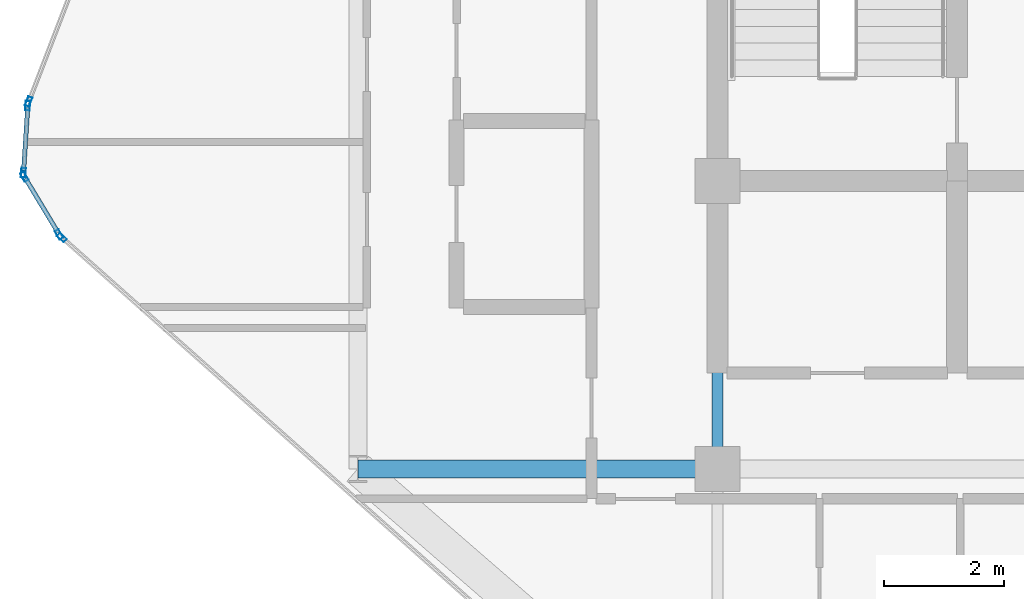
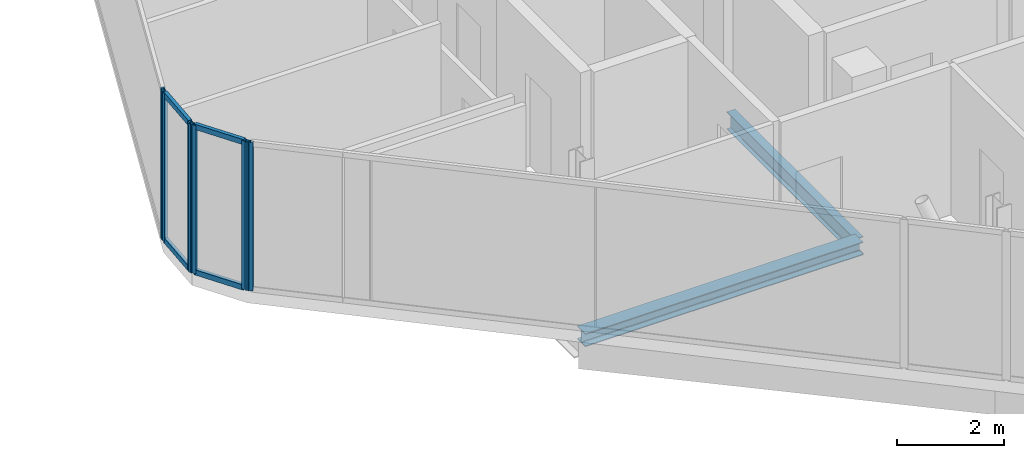
# One storey, part 8 of 29: 10 members, 2 beams, 4 elements without a shape of their own.
"""IFC4 building model written with IfcOpenShell, lengths in metres."""

from ifc_helpers import new_model, si_unit, direction, frame, origin, origin_2d, place, context, subcontext, project, spatial, hollow_rectangle, i_section, extrude, material, layer, layer_set, material_profile, profile_set, type_object, element, aggregate, save


model = new_model("IFC4")

# Units and contexts
model_context = context("Model", 3, precision=1e-05, world=origin(), true_north=direction((0.0, 1.0)))
body_context = subcontext(model_context, "Body", "Model", "MODEL_VIEW")
ifc_project = project(units=[si_unit("LENGTHUNIT", "METRE"), si_unit("AREAUNIT", "SQUARE_METRE"), si_unit("VOLUMEUNIT", "CUBIC_METRE"), si_unit("PLANEANGLEUNIT", "RADIAN"), si_unit("MASSUNIT", "GRAM", prefix="KILO")], contexts=[model_context])

# Site, building, storey
site_placement = place(None, origin())
site = spatial("IfcSite", under=ifc_project, at=site_placement, CompositionType="ELEMENT")
building_placement = place(site_placement, origin())
building = spatial("IfcBuilding", under=site, at=building_placement, Name="Keshet Zoharim Tower", CompositionType="ELEMENT")
storey_placement = place(building_placement, frame((0.0, 0.0, 222.800048828125)))
storey = spatial("IfcBuildingStorey", under=building, at=storey_placement, Name="L55", CompositionType="ELEMENT", Elevation=222.800048828125)

# Beams
ifc_material_1 = material(Name="Steel S355", Category="steel")
ifc_material_profile_1 = material_profile(ifc_material_1, i_section(OverallWidth=0.300048828125, OverallDepth=0.300048828125, WebThickness=0.010986328125, FlangeThickness=0.01904296875, FilletRadius=0.027099609375, at=origin_2d()), Name="HEB300")
ifc_profile_set_1 = profile_set([ifc_material_profile_1], Name="Steel S355")
beam_type_1 = type_object("IfcBeamType", Name="BM-PRI-HB300", PredefinedType="BEAM", material=ifc_profile_set_1)
beam_1_placement = place(storey_placement, frame((9.0, 17.89990234375, -0.4599609375), z_axis=(1.0, 0.0, 0.0), x_axis=(0.0, 1.0, 0.0)))
element("IfcBeam", 1, at=beam_1_placement, inside=storey, type_object=beam_type_1, Name="L55 Primary Girder X-011", PredefinedType="BEAM", context=body_context, shape_type="SweptSolid", body=[
    extrude(i_section(OverallWidth=0.300048828125, OverallDepth=0.300048828125, WebThickness=0.010986328125, FlangeThickness=0.01904296875, FilletRadius=0.027099609375, at=origin_2d()), origin(), (0.0, 0.0, 1.0), 6.0),
])
ifc_material_profile_2 = material_profile(ifc_material_1, i_section(OverallWidth=0.179931640625, OverallDepth=0.39990234375, WebThickness=0.008544921875, FlangeThickness=0.013427734375, FilletRadius=0.02099609375, at=origin_2d()), Name="IPE400")
ifc_profile_set_2 = profile_set([ifc_material_profile_2], Name="Steel S355")
beam_type_2 = type_object("IfcBeamType", Name="BM-PRI-IP400", PredefinedType="BEAM", material=ifc_profile_set_2)
beam_2_placement = place(storey_placement, frame((15.0, 17.89990234375, -0.510009765625), z_axis=(0.0, 1.0, 0.0), x_axis=(-1.0, 0.0, 0.0)))
element("IfcBeam", 2, at=beam_2_placement, inside=storey, type_object=beam_type_2, Name="L55 Primary Girder Y-003", PredefinedType="BEAM", context=body_context, shape_type="SweptSolid", body=[
    extrude(i_section(OverallWidth=0.179931640625, OverallDepth=0.39990234375, WebThickness=0.008544921875, FlangeThickness=0.013427734375, FilletRadius=0.02099609375, at=origin_2d()), origin(), (0.0, 0.0, 1.0), 4.800048828125),
])

# Curtain wall, member
ifc_material_2 = material(Name="Aluminium 6063-T6", Category="aluminium")
ifc_layer = layer(ifc_material_2, 0.139892578125)
ifc_layer_set = layer_set([ifc_layer], Name="Aluminium 6063-T6")
curtain_wall_type = type_object("IfcCurtainWallType", Name="CW-SYS-05", PredefinedType="NOTDEFINED", material=ifc_layer_set)
curtain_wall_1_placement = place(storey_placement, origin())
curtain_wall_1 = element("IfcCurtainWall", 3, at=curtain_wall_1_placement, inside=storey, type_object=curtain_wall_type, Name="L55 Unitised Curtain Wall 10 Part 3", PredefinedType="NOTDEFINED")
ifc_material_profile_3 = material_profile(ifc_material_2, hollow_rectangle(XDim=0.074951171875, YDim=0.159912109375, WallThickness=0.00390625, at=origin_2d()), Name="MUL-75x160")
ifc_profile_set_3 = profile_set([ifc_material_profile_3], Name="Aluminium 6063-T6")
member_type_1 = type_object("IfcMemberType", Name="CWM-M15", PredefinedType="MULLION", material=ifc_profile_set_3)
member_1_placement = place(storey_placement, frame((4.061279296875, 21.7568359375, 0.0), z_axis=(0.0, 0.0, 1.0), x_axis=(-0.664363838836, -0.747409318679, 0.0)))
member_1 = element("IfcMember", 4, at=member_1_placement, type_object=member_type_1, Name="CW-05 mullion 2", PredefinedType="MULLION", context=body_context, shape_type="SweptSolid", body=[
    extrude(hollow_rectangle(XDim=0.074951171875, YDim=0.159912109375, WallThickness=0.00390625, at=origin_2d()), origin(), (0.0, 0.0, 1.0), 3.389892578125),
])
aggregate(curtain_wall_1, [member_1])

# Curtain wall, members
curtain_wall_2_placement = place(storey_placement, origin())
curtain_wall_2 = element("IfcCurtainWall", 5, at=curtain_wall_2_placement, inside=storey, type_object=curtain_wall_type, Name="L55 Unitised Curtain Wall 11", PredefinedType="NOTDEFINED")
member_2_placement = place(storey_placement, frame((4.016845703125, 21.81005859375, 0.0), z_axis=(0.0, 0.0, 1.0), x_axis=(-0.856826433805, -0.515604947933, 0.0)))
member_2 = element("IfcMember", 6, at=member_2_placement, type_object=member_type_1, Name="CW-05 mullion 1", PredefinedType="MULLION", context=body_context, shape_type="SweptSolid", body=[
    extrude(hollow_rectangle(XDim=0.074951171875, YDim=0.159912109375, WallThickness=0.00390625, at=origin_2d()), origin(), (0.0, 0.0, 1.0), 3.389892578125),
])
member_3_placement = place(storey_placement, frame((3.43798828125, 22.77197265625, 0.0), z_axis=(0.0, 0.0, 1.0), x_axis=(-0.856826433805, -0.515604947933, 0.0)))
member_3 = element("IfcMember", 7, at=member_3_placement, type_object=member_type_1, Name="CW-05 mullion 2", PredefinedType="MULLION", context=body_context, shape_type="SweptSolid", body=[
    extrude(hollow_rectangle(XDim=0.074951171875, YDim=0.159912109375, WallThickness=0.00390625, at=origin_2d()), origin(), (0.0, 0.0, 1.0), 3.389892578125),
])

curtain_wall_3_placement = place(storey_placement, origin())
curtain_wall_3 = element("IfcCurtainWall", 8, at=curtain_wall_3_placement, inside=storey, type_object=curtain_wall_type, Name="L55 Unitised Curtain Wall 12", PredefinedType="NOTDEFINED")
member_4_placement = place(storey_placement, frame((3.42236328125, 22.8369140625, 0.0), z_axis=(0.0, 0.0, 1.0), x_axis=(-0.997916617186, 0.064516859374, 0.0)))
member_4 = element("IfcMember", 9, at=member_4_placement, type_object=member_type_1, Name="CW-05 mullion 1", PredefinedType="MULLION", context=body_context, shape_type="SweptSolid", body=[
    extrude(hollow_rectangle(XDim=0.074951171875, YDim=0.159912109375, WallThickness=0.00390625, at=origin_2d()), origin(), (0.0, 0.0, 1.0), 3.389892578125),
])
member_5_placement = place(storey_placement, frame((3.49462890625, 23.9580078125, 0.0), z_axis=(0.0, 0.0, 1.0), x_axis=(-0.997916617186, 0.064516859374, 0.0)))
member_5 = element("IfcMember", 10, at=member_5_placement, type_object=member_type_1, Name="CW-05 mullion 2", PredefinedType="MULLION", context=body_context, shape_type="SweptSolid", body=[
    extrude(hollow_rectangle(XDim=0.074951171875, YDim=0.159912109375, WallThickness=0.00390625, at=origin_2d()), origin(), (0.0, 0.0, 1.0), 3.389892578125),
])

# Curtain wall, member
curtain_wall_4_placement = place(storey_placement, origin())
curtain_wall_4 = element("IfcCurtainWall", 11, at=curtain_wall_4_placement, inside=storey, type_object=curtain_wall_type, Name="L55 Unitised Curtain Wall 13", PredefinedType="NOTDEFINED")
member_6_placement = place(storey_placement, frame((3.509521484375, 24.025634765625, 0.0), z_axis=(0.0, 0.0, 1.0), x_axis=(-0.933341404361, 0.358990003907, 0.0)))
member_6 = element("IfcMember", 12, at=member_6_placement, type_object=member_type_1, Name="CW-05 mullion 1", PredefinedType="MULLION", context=body_context, shape_type="SweptSolid", body=[
    extrude(hollow_rectangle(XDim=0.074951171875, YDim=0.159912109375, WallThickness=0.00390625, at=origin_2d()), origin(), (0.0, 0.0, 1.0), 3.389892578125),
])
aggregate(curtain_wall_4, [member_6])

# Member
ifc_material_profile_4 = material_profile(ifc_material_2, hollow_rectangle(XDim=0.074951171875, YDim=0.1201171875, WallThickness=0.00390625, at=origin_2d()), Name="TRN-75x120")
ifc_profile_set_4 = profile_set([ifc_material_profile_4], Name="Aluminium 6063-T6")
member_type_2 = type_object("IfcMemberType", Name="CWT-T12", PredefinedType="USERDEFINED", material=ifc_profile_set_4)
member_7_placement = place(storey_placement, frame((3.9990234375, 21.840087890625, 0.034912109375), z_axis=(-0.515791194107, 0.856714330499, 0.0), x_axis=(-0.856714330499, -0.515791194107, 0.0)))
member_7 = element("IfcMember", 13, at=member_7_placement, type_object=member_type_2, Name="CW-05 transom 1.1", ObjectType="TRANSOM", PredefinedType="USERDEFINED", context=body_context, shape_type="SweptSolid", body=[
    extrude(hollow_rectangle(XDim=0.074951171875, YDim=0.1201171875, WallThickness=0.00390625, at=origin_2d()), origin(), (0.0, 0.0, 1.0), 1.052734375),
])

member_8_placement = place(storey_placement, frame((3.9990234375, 21.840087890625, 3.35498046875), z_axis=(-0.515791194107, 0.856714330499, 0.0), x_axis=(-0.856714330499, -0.515791194107, 0.0)))
member_8 = element("IfcMember", 14, at=member_8_placement, type_object=member_type_2, Name="CW-05 transom 1.2", ObjectType="TRANSOM", PredefinedType="USERDEFINED", context=body_context, shape_type="SweptSolid", body=[
    extrude(hollow_rectangle(XDim=0.074951171875, YDim=0.1201171875, WallThickness=0.00390625, at=origin_2d()), origin(), (0.0, 0.0, 1.0), 1.052734375),
])

aggregate(curtain_wall_2, [member_2, member_3, member_7, member_8])

member_9_placement = place(storey_placement, frame((3.424560546875, 22.871826171875, 0.034912109375), z_axis=(0.064426947155, 0.997922426083, 0.0), x_axis=(-0.997922426083, 0.064426947155, 0.0)))
member_9 = element("IfcMember", 15, at=member_9_placement, type_object=member_type_2, Name="CW-05 transom 1.1", ObjectType="TRANSOM", PredefinedType="USERDEFINED", context=body_context, shape_type="SweptSolid", body=[
    extrude(hollow_rectangle(XDim=0.074951171875, YDim=0.1201171875, WallThickness=0.00390625, at=origin_2d()), origin(), (0.0, 0.0, 1.0), 1.053466796875),
])

member_10_placement = place(storey_placement, frame((3.424560546875, 22.871826171875, 3.35498046875), z_axis=(0.064426947155, 0.997922426083, 0.0), x_axis=(-0.997922426083, 0.064426947155, 0.0)))
member_10 = element("IfcMember", 16, at=member_10_placement, type_object=member_type_2, Name="CW-05 transom 1.2", ObjectType="TRANSOM", PredefinedType="USERDEFINED", context=body_context, shape_type="SweptSolid", body=[
    extrude(hollow_rectangle(XDim=0.074951171875, YDim=0.1201171875, WallThickness=0.00390625, at=origin_2d()), origin(), (0.0, 0.0, 1.0), 1.053466796875),
])

aggregate(curtain_wall_3, [member_4, member_5, member_9, member_10])

save(model, "model.ifc")
